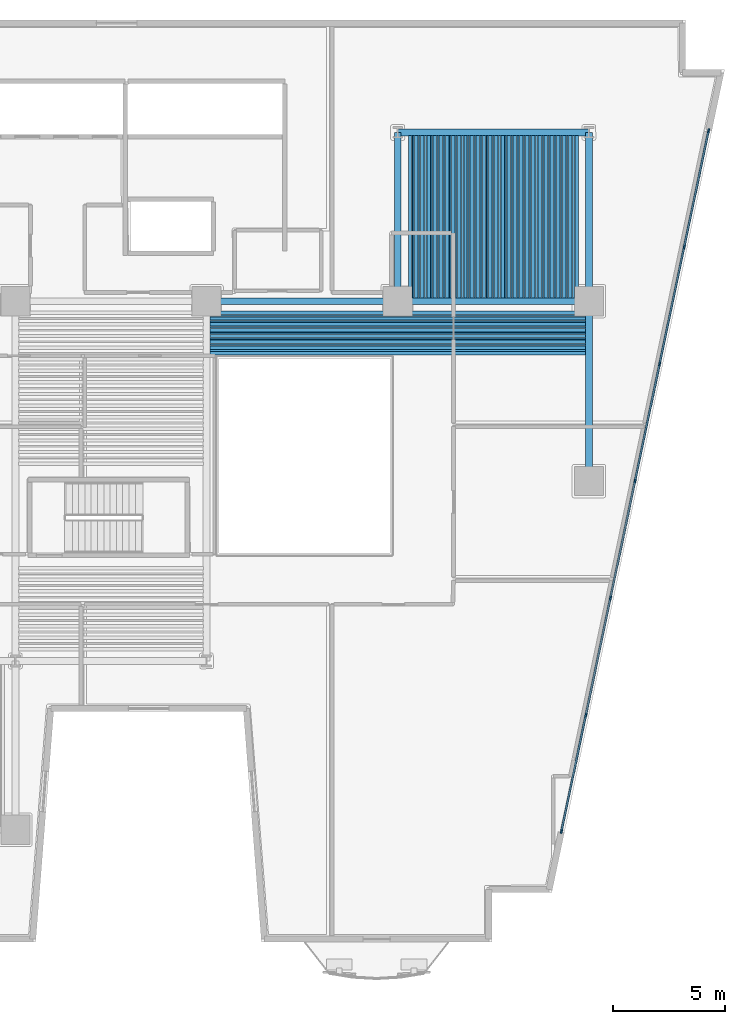
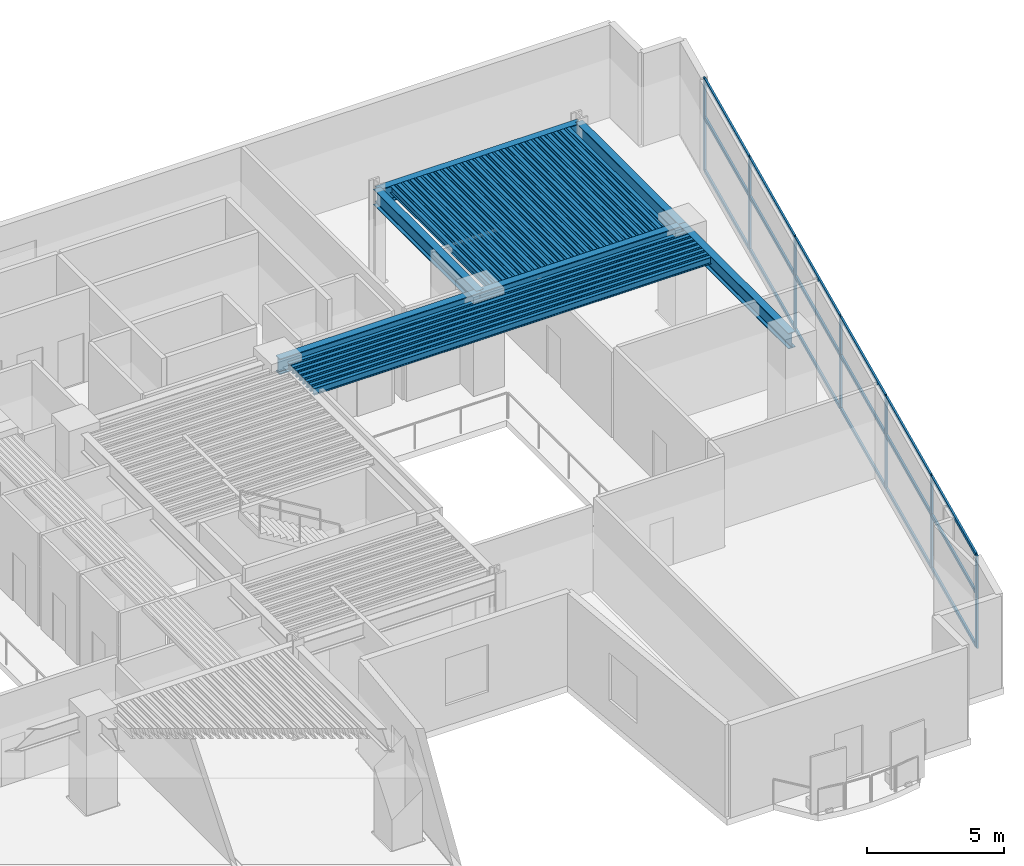
# One storey, part 2 of 12: 76 beams, 25 members, 1 element without a shape of its own.
"""IFC4 building model written with IfcOpenShell, lengths in metres."""

from ifc_helpers import new_model, si_unit, direction, frame, origin, origin_2d, place, context, subcontext, project, spatial, rectangle, hollow_rectangle, i_section, extrude, material, layer, layer_set, material_profile, profile_set, type_object, element, aggregate, save


model = new_model("IFC4")

# Units and contexts
model_context = context("Model", 3, precision=1e-05, world=origin(), true_north=direction((0.0, 1.0)))
body_context = subcontext(model_context, "Body", "Model", "MODEL_VIEW")
ifc_project = project(units=[si_unit("LENGTHUNIT", "METRE"), si_unit("AREAUNIT", "SQUARE_METRE"), si_unit("VOLUMEUNIT", "CUBIC_METRE"), si_unit("PLANEANGLEUNIT", "RADIAN"), si_unit("MASSUNIT", "GRAM", prefix="KILO")], contexts=[model_context])

# Site, building, storey
site_placement = place(None, origin())
site = spatial("IfcSite", under=ifc_project, at=site_placement, CompositionType="ELEMENT")
building_placement = place(site_placement, origin())
building = spatial("IfcBuilding", under=site, at=building_placement, Name="Caeloran Harvest Quay", CompositionType="ELEMENT")
storey_placement = place(building_placement, frame((0.0, 0.0, 88.60009765625)))
storey = spatial("IfcBuildingStorey", under=building, at=storey_placement, Name="L20", CompositionType="ELEMENT", Elevation=88.60009765625)

# Beams
ifc_material_1 = material(Name="Steel S355J2", Category="steel")
ifc_material_profile_1 = material_profile(ifc_material_1, i_section(OverallWidth=0.300048828125, OverallDepth=0.699951171875, WebThickness=0.01708984375, FlangeThickness=0.031982421875, FilletRadius=0.027099609375, at=origin_2d()), Name="HE 700 B")
ifc_profile_set_1 = profile_set([ifc_material_profile_1], Name="Steel S355J2")
beam_type_1 = type_object("IfcBeamType", Name="BM-PG-2-HE_700_B", PredefinedType="BEAM", material=ifc_profile_set_1)
for number, where, z_axis, x_axis, name in (
    (1, (34.0, 31.0, 3.764892578125), (1.0, 0.0, 0.0), (0.0, 1.0, 0.0), "L20 Primary East-West Girder Y=31.0"),
    (2, (42.5, 31.0, 3.764892578125), (1.0, 0.0, 0.0), (0.0, 1.0, 0.0), "L20 Primary East-West Girder Y=31.0"),
    (3, (42.5, 38.5, 3.764892578125), (1.0, 0.0, 0.0), (0.0, 1.0, 0.0), "L20 Primary East-West Girder Y=38.5"),
):
    element("IfcBeam", number, at=place(storey_placement, frame(where, z_axis=z_axis, x_axis=x_axis)), inside=storey, type_object=beam_type_1, Name=name, PredefinedType="BEAM", context=body_context, shape_type="SweptSolid", body=[
        extrude(i_section(OverallWidth=0.300048828125, OverallDepth=0.699951171875, WebThickness=0.01708984375, FlangeThickness=0.031982421875, FilletRadius=0.027099609375, at=origin_2d()), origin(), (0.0, 0.0, 1.0), 8.5),
    ])
beam_1_placement = place(storey_placement, frame((42.5, 31.0, 3.764892578125), z_axis=(0.0, 1.0, 0.0), x_axis=(-1.0, 0.0, 0.0)))
element("IfcBeam", 4, at=beam_1_placement, inside=storey, type_object=beam_type_1, Name="L20 Primary North-South Girder X=42.5", PredefinedType="BEAM", context=body_context, shape_type="SweptSolid", body=[
    extrude(i_section(OverallWidth=0.300048828125, OverallDepth=0.699951171875, WebThickness=0.01708984375, FlangeThickness=0.031982421875, FilletRadius=0.027099609375, at=origin_2d()), origin(), (0.0, 0.0, 1.0), 7.5),
])
beam_2_placement = place(storey_placement, frame((51.0, 23.0, 3.764892578125), z_axis=(0.0, 1.0, 0.0), x_axis=(-1.0, 0.0, 0.0)))
element("IfcBeam", 5, at=beam_2_placement, inside=storey, type_object=beam_type_1, Name="L20 Primary North-South Girder X=51.0", PredefinedType="BEAM", context=body_context, shape_type="SweptSolid", body=[
    extrude(i_section(OverallWidth=0.300048828125, OverallDepth=0.699951171875, WebThickness=0.01708984375, FlangeThickness=0.031982421875, FilletRadius=0.027099609375, at=origin_2d()), origin(), (0.0, 0.0, 1.0), 8.0),
])
beam_3_placement = place(storey_placement, frame((51.0, 31.0, 3.764892578125), z_axis=(0.0, 1.0, 0.0), x_axis=(-1.0, 0.0, 0.0)))
element("IfcBeam", 6, at=beam_3_placement, inside=storey, type_object=beam_type_1, Name="L20 Primary North-South Girder X=51.0", PredefinedType="BEAM", context=body_context, shape_type="SweptSolid", body=[
    extrude(i_section(OverallWidth=0.300048828125, OverallDepth=0.699951171875, WebThickness=0.01708984375, FlangeThickness=0.031982421875, FilletRadius=0.027099609375, at=origin_2d()), origin(), (0.0, 0.0, 1.0), 7.5),
])
ifc_material_profile_2 = material_profile(ifc_material_1, i_section(OverallWidth=0.14990234375, OverallDepth=0.300048828125, WebThickness=0.007080078125, FlangeThickness=0.0107421875, FilletRadius=0.014892578125, at=origin_2d()), Name="IPE 300")
ifc_profile_set_2 = profile_set([ifc_material_profile_2], Name="Steel S355J2")
beam_type_2 = type_object("IfcBeamType", Name="BM-SB-6-IPE_300", PredefinedType="JOIST", material=ifc_profile_set_2)
for number, where, z_axis, x_axis, name in (
    (7, (43.04833984375, 31.14501953125, 3.96484375), (0.0, 1.0, 0.0), (-1.0, 0.0, 0.0), "L20 Secondary Composite Joist"),
    (8, (43.322509765625, 31.14501953125, 3.96484375), (0.0, 1.0, 0.0), (-1.0, 0.0, 0.0), "L20 Secondary Composite Joist"),
    (9, (43.5966796875, 31.14501953125, 3.96484375), (0.0, 1.0, 0.0), (-1.0, 0.0, 0.0), "L20 Secondary Composite Joist"),
    (10, (43.87109375, 31.14501953125, 3.96484375), (0.0, 1.0, 0.0), (-1.0, 0.0, 0.0), "L20 Secondary Composite Joist"),
    (11, (44.145263671875, 31.14501953125, 3.96484375), (0.0, 1.0, 0.0), (-1.0, 0.0, 0.0), "L20 Secondary Composite Joist"),
    (12, (44.41943359375, 31.14501953125, 3.96484375), (0.0, 1.0, 0.0), (-1.0, 0.0, 0.0), "L20 Secondary Composite Joist"),
    (13, (44.693603515625, 31.14501953125, 3.96484375), (0.0, 1.0, 0.0), (-1.0, 0.0, 0.0), "L20 Secondary Composite Joist"),
    (14, (44.9677734375, 31.14501953125, 3.96484375), (0.0, 1.0, 0.0), (-1.0, 0.0, 0.0), "L20 Secondary Composite Joist"),
    (15, (45.241943359375, 31.14501953125, 3.96484375), (0.0, 1.0, 0.0), (-1.0, 0.0, 0.0), "L20 Secondary Composite Joist"),
    (16, (45.51611328125, 31.14501953125, 3.96484375), (0.0, 1.0, 0.0), (-1.0, 0.0, 0.0), "L20 Secondary Composite Joist"),
    (17, (45.790283203125, 31.14501953125, 3.96484375), (0.0, 1.0, 0.0), (-1.0, 0.0, 0.0), "L20 Secondary Composite Joist"),
    (18, (46.064453125, 31.14501953125, 3.96484375), (0.0, 1.0, 0.0), (-1.0, 0.0, 0.0), "L20 Secondary Composite Joist"),
    (19, (46.338623046875, 31.14501953125, 3.96484375), (0.0, 1.0, 0.0), (-1.0, 0.0, 0.0), "L20 Secondary Composite Joist"),
    (20, (46.61279296875, 31.14501953125, 3.96484375), (0.0, 1.0, 0.0), (-1.0, 0.0, 0.0), "L20 Secondary Composite Joist"),
    (21, (46.88720703125, 31.14501953125, 3.96484375), (0.0, 1.0, 0.0), (-1.0, 0.0, 0.0), "L20 Secondary Composite Joist"),
    (22, (47.161376953125, 31.14501953125, 3.96484375), (0.0, 1.0, 0.0), (-1.0, 0.0, 0.0), "L20 Secondary Composite Joist"),
    (23, (47.435546875, 31.14501953125, 3.96484375), (0.0, 1.0, 0.0), (-1.0, 0.0, 0.0), "L20 Secondary Composite Joist"),
    (24, (47.709716796875, 31.14501953125, 3.96484375), (0.0, 1.0, 0.0), (-1.0, 0.0, 0.0), "L20 Secondary Composite Joist"),
    (25, (47.98388671875, 31.14501953125, 3.96484375), (0.0, 1.0, 0.0), (-1.0, 0.0, 0.0), "L20 Secondary Composite Joist"),
    (26, (48.258056640625, 31.14501953125, 3.96484375), (0.0, 1.0, 0.0), (-1.0, 0.0, 0.0), "L20 Secondary Composite Joist"),
    (27, (48.5322265625, 31.14501953125, 3.96484375), (0.0, 1.0, 0.0), (-1.0, 0.0, 0.0), "L20 Secondary Composite Joist"),
    (28, (48.806396484375, 31.14501953125, 3.96484375), (0.0, 1.0, 0.0), (-1.0, 0.0, 0.0), "L20 Secondary Composite Joist"),
    (29, (49.08056640625, 31.14501953125, 3.96484375), (0.0, 1.0, 0.0), (-1.0, 0.0, 0.0), "L20 Secondary Composite Joist"),
    (30, (49.354736328125, 31.14501953125, 3.96484375), (0.0, 1.0, 0.0), (-1.0, 0.0, 0.0), "L20 Secondary Composite Joist"),
    (31, (49.62890625, 31.14501953125, 3.96484375), (0.0, 1.0, 0.0), (-1.0, 0.0, 0.0), "L20 Secondary Composite Joist"),
    (32, (49.9033203125, 31.14501953125, 3.96484375), (0.0, 1.0, 0.0), (-1.0, 0.0, 0.0), "L20 Secondary Composite Joist"),
    (33, (50.177490234375, 31.14501953125, 3.96484375), (0.0, 1.0, 0.0), (-1.0, 0.0, 0.0), "L20 Secondary Composite Joist"),
    (34, (50.45166015625, 31.14501953125, 3.96484375), (0.0, 1.0, 0.0), (-1.0, 0.0, 0.0), "L20 Secondary Composite Joist"),
):
    element("IfcBeam", number, at=place(storey_placement, frame(where, z_axis=z_axis, x_axis=x_axis)), inside=storey, type_object=beam_type_2, Name=name, PredefinedType="JOIST", context=body_context, shape_type="SweptSolid", body=[
        extrude(i_section(OverallWidth=0.14990234375, OverallDepth=0.300048828125, WebThickness=0.007080078125, FlangeThickness=0.0107421875, FilletRadius=0.014892578125, at=origin_2d()), origin(), (0.0, 0.0, 1.0), 7.2099609375),
    ])
for number, where, z_axis, x_axis, name in (
    (35, (34.14501953125, 28.677490234375, 3.96484375), (1.0, 0.0, 0.0), (0.0, 1.0, 0.0), "L20 Secondary East-West Composite Joist"),
    (36, (34.14501953125, 28.935546875, 3.96484375), (1.0, 0.0, 0.0), (0.0, 1.0, 0.0), "L20 Secondary East-West Composite Joist"),
    (37, (34.14501953125, 29.193603515625, 3.96484375), (1.0, 0.0, 0.0), (0.0, 1.0, 0.0), "L20 Secondary East-West Composite Joist"),
    (38, (34.14501953125, 29.45166015625, 3.96484375), (1.0, 0.0, 0.0), (0.0, 1.0, 0.0), "L20 Secondary East-West Composite Joist"),
    (39, (34.14501953125, 29.709716796875, 3.96484375), (1.0, 0.0, 0.0), (0.0, 1.0, 0.0), "L20 Secondary East-West Composite Joist"),
    (40, (34.14501953125, 29.9677734375, 3.96484375), (1.0, 0.0, 0.0), (0.0, 1.0, 0.0), "L20 Secondary East-West Composite Joist"),
    (41, (34.14501953125, 30.225830078125, 3.96484375), (1.0, 0.0, 0.0), (0.0, 1.0, 0.0), "L20 Secondary East-West Composite Joist"),
    (42, (34.14501953125, 30.48388671875, 3.96484375), (1.0, 0.0, 0.0), (0.0, 1.0, 0.0), "L20 Secondary East-West Composite Joist"),
):
    element("IfcBeam", number, at=place(storey_placement, frame(where, z_axis=z_axis, x_axis=x_axis)), inside=storey, type_object=beam_type_2, Name=name, PredefinedType="JOIST", context=body_context, shape_type="SweptSolid", body=[
        extrude(i_section(OverallWidth=0.14990234375, OverallDepth=0.300048828125, WebThickness=0.007080078125, FlangeThickness=0.0107421875, FilletRadius=0.014892578125, at=origin_2d()), origin(), (0.0, 0.0, 1.0), 16.7099609375),
    ])
ifc_material_profile_3 = material_profile(ifc_material_1, hollow_rectangle(XDim=0.080078125, YDim=0.199951171875, WallThickness=0.006103515625, InnerFilletRadius=0.006103515625, OuterFilletRadius=0.009033203125, at=origin_2d()), Name="RHS 200x80x6")
ifc_profile_set_3 = profile_set([ifc_material_profile_3], Name="Steel S355J2")
beam_type_3 = type_object("IfcBeamType", Name="BM-SB-7-RHS_200x80x6", PredefinedType="JOIST", material=ifc_profile_set_3)
for number, where, z_axis, x_axis, name in (
    (43, (43.185546875, 31.14501953125, 4.014892578125), (0.0, 1.0, 0.0), (-1.0, 0.0, 0.0), "L20 Secondary Composite Joist"),
    (44, (43.459716796875, 31.14501953125, 4.014892578125), (0.0, 1.0, 0.0), (-1.0, 0.0, 0.0), "L20 Secondary Composite Joist"),
    (45, (43.73388671875, 31.14501953125, 4.014892578125), (0.0, 1.0, 0.0), (-1.0, 0.0, 0.0), "L20 Secondary Composite Joist"),
    (46, (44.008056640625, 31.14501953125, 4.014892578125), (0.0, 1.0, 0.0), (-1.0, 0.0, 0.0), "L20 Secondary Composite Joist"),
    (47, (44.2822265625, 31.14501953125, 4.014892578125), (0.0, 1.0, 0.0), (-1.0, 0.0, 0.0), "L20 Secondary Composite Joist"),
    (48, (44.556396484375, 31.14501953125, 4.014892578125), (0.0, 1.0, 0.0), (-1.0, 0.0, 0.0), "L20 Secondary Composite Joist"),
    (49, (44.83056640625, 31.14501953125, 4.014892578125), (0.0, 1.0, 0.0), (-1.0, 0.0, 0.0), "L20 Secondary Composite Joist"),
    (50, (45.104736328125, 31.14501953125, 4.014892578125), (0.0, 1.0, 0.0), (-1.0, 0.0, 0.0), "L20 Secondary Composite Joist"),
    (51, (45.37890625, 31.14501953125, 4.014892578125), (0.0, 1.0, 0.0), (-1.0, 0.0, 0.0), "L20 Secondary Composite Joist"),
    (52, (45.6533203125, 31.14501953125, 4.014892578125), (0.0, 1.0, 0.0), (-1.0, 0.0, 0.0), "L20 Secondary Composite Joist"),
    (53, (45.927490234375, 31.14501953125, 4.014892578125), (0.0, 1.0, 0.0), (-1.0, 0.0, 0.0), "L20 Secondary Composite Joist"),
    (54, (46.20166015625, 31.14501953125, 4.014892578125), (0.0, 1.0, 0.0), (-1.0, 0.0, 0.0), "L20 Secondary Composite Joist"),
    (55, (46.475830078125, 31.14501953125, 4.014892578125), (0.0, 1.0, 0.0), (-1.0, 0.0, 0.0), "L20 Secondary Composite Joist"),
    (56, (46.75, 31.14501953125, 4.014892578125), (0.0, 1.0, 0.0), (-1.0, 0.0, 0.0), "L20 Secondary Composite Joist"),
    (57, (47.024169921875, 31.14501953125, 4.014892578125), (0.0, 1.0, 0.0), (-1.0, 0.0, 0.0), "L20 Secondary Composite Joist"),
    (58, (47.29833984375, 31.14501953125, 4.014892578125), (0.0, 1.0, 0.0), (-1.0, 0.0, 0.0), "L20 Secondary Composite Joist"),
    (59, (47.572509765625, 31.14501953125, 4.014892578125), (0.0, 1.0, 0.0), (-1.0, 0.0, 0.0), "L20 Secondary Composite Joist"),
    (60, (47.8466796875, 31.14501953125, 4.014892578125), (0.0, 1.0, 0.0), (-1.0, 0.0, 0.0), "L20 Secondary Composite Joist"),
    (61, (48.12109375, 31.14501953125, 4.014892578125), (0.0, 1.0, 0.0), (-1.0, 0.0, 0.0), "L20 Secondary Composite Joist"),
    (62, (48.395263671875, 31.14501953125, 4.014892578125), (0.0, 1.0, 0.0), (-1.0, 0.0, 0.0), "L20 Secondary Composite Joist"),
    (63, (48.66943359375, 31.14501953125, 4.014892578125), (0.0, 1.0, 0.0), (-1.0, 0.0, 0.0), "L20 Secondary Composite Joist"),
    (64, (48.943603515625, 31.14501953125, 4.014892578125), (0.0, 1.0, 0.0), (-1.0, 0.0, 0.0), "L20 Secondary Composite Joist"),
    (65, (49.2177734375, 31.14501953125, 4.014892578125), (0.0, 1.0, 0.0), (-1.0, 0.0, 0.0), "L20 Secondary Composite Joist"),
    (66, (49.491943359375, 31.14501953125, 4.014892578125), (0.0, 1.0, 0.0), (-1.0, 0.0, 0.0), "L20 Secondary Composite Joist"),
    (67, (49.76611328125, 31.14501953125, 4.014892578125), (0.0, 1.0, 0.0), (-1.0, 0.0, 0.0), "L20 Secondary Composite Joist"),
    (68, (50.040283203125, 31.14501953125, 4.014892578125), (0.0, 1.0, 0.0), (-1.0, 0.0, 0.0), "L20 Secondary Composite Joist"),
    (69, (50.314453125, 31.14501953125, 4.014892578125), (0.0, 1.0, 0.0), (-1.0, 0.0, 0.0), "L20 Secondary Composite Joist"),
):
    element("IfcBeam", number, at=place(storey_placement, frame(where, z_axis=z_axis, x_axis=x_axis)), inside=storey, type_object=beam_type_3, Name=name, PredefinedType="JOIST", context=body_context, shape_type="SweptSolid", body=[
        extrude(hollow_rectangle(XDim=0.080078125, YDim=0.199951171875, WallThickness=0.006103515625, InnerFilletRadius=0.006103515625, OuterFilletRadius=0.009033203125, at=origin_2d()), origin(), (0.0, 0.0, 1.0), 7.2099609375),
    ])
for number, where, z_axis, x_axis, name in (
    (70, (34.14501953125, 28.806396484375, 4.014892578125), (1.0, 0.0, 0.0), (0.0, 1.0, 0.0), "L20 Secondary East-West Composite Joist"),
    (71, (34.14501953125, 29.064453125, 4.014892578125), (1.0, 0.0, 0.0), (0.0, 1.0, 0.0), "L20 Secondary East-West Composite Joist"),
    (72, (34.14501953125, 29.322509765625, 4.014892578125), (1.0, 0.0, 0.0), (0.0, 1.0, 0.0), "L20 Secondary East-West Composite Joist"),
    (73, (34.14501953125, 29.58056640625, 4.014892578125), (1.0, 0.0, 0.0), (0.0, 1.0, 0.0), "L20 Secondary East-West Composite Joist"),
    (74, (34.14501953125, 29.838623046875, 4.014892578125), (1.0, 0.0, 0.0), (0.0, 1.0, 0.0), "L20 Secondary East-West Composite Joist"),
    (75, (34.14501953125, 30.0966796875, 4.014892578125), (1.0, 0.0, 0.0), (0.0, 1.0, 0.0), "L20 Secondary East-West Composite Joist"),
    (76, (34.14501953125, 30.354736328125, 4.014892578125), (1.0, 0.0, 0.0), (0.0, 1.0, 0.0), "L20 Secondary East-West Composite Joist"),
):
    element("IfcBeam", number, at=place(storey_placement, frame(where, z_axis=z_axis, x_axis=x_axis)), inside=storey, type_object=beam_type_3, Name=name, PredefinedType="JOIST", context=body_context, shape_type="SweptSolid", body=[
        extrude(hollow_rectangle(XDim=0.080078125, YDim=0.199951171875, WallThickness=0.006103515625, InnerFilletRadius=0.006103515625, OuterFilletRadius=0.009033203125, at=origin_2d()), origin(), (0.0, 0.0, 1.0), 16.7099609375),
    ])

# Curtain wall, members
ifc_material_2 = material(Name="Aluminium 6063-T6 and Low-E Glazing", Category="aluminium")
ifc_layer = layer(ifc_material_2, 0.199951171875, Name="Aluminium 6063-T6 and Low-E Glazing")
ifc_layer_set = layer_set([ifc_layer], Name="Aluminium 6063-T6 and Low-E Glazing")
curtain_wall_type = type_object("IfcCurtainWallType", Name="CW-SYS-CW-2", PredefinedType="USERDEFINED", material=ifc_layer_set)
curtain_wall_placement = place(storey_placement, origin())
curtain_wall = element("IfcCurtainWall", 77, at=curtain_wall_placement, inside=storey, type_object=curtain_wall_type, Name="L20 Unitised Curtain Wall CW-2 Run 9", ObjectType="CURTAIN_WALL", PredefinedType="USERDEFINED")
ifc_material_3 = material(Name="Aluminium 6063-T6", Category="aluminium")
ifc_material_profile_4 = material_profile(ifc_material_3, rectangle(XDim=0.080078125, YDim=0.179931640625, at=origin_2d()), Name="CW-MULLION-180")
ifc_profile_set_4 = profile_set([ifc_material_profile_4], Name="Aluminium 6063-T6")
member_type_1 = type_object("IfcMemberType", Name="CW-MULLION-180", PredefinedType="MULLION", material=ifc_profile_set_4)
member_1_placement = place(storey_placement, frame((56.322509765625, 38.576416015625, 0.0), z_axis=(0.0, 0.0, 1.0), x_axis=(0.978639691881, -0.205582960081, 0.0)))
member_1 = element("IfcMember", 78, at=member_1_placement, type_object=member_type_1, Name="CW-2 mullion 1", PredefinedType="MULLION", context=body_context, shape_type="SweptSolid", body=[
    extrude(rectangle(XDim=0.080078125, YDim=0.179931640625, at=origin_2d()), origin(), (0.0, 0.0, 1.0), 4.114990234375),
])
member_2_placement = place(storey_placement, frame((55.2373046875, 33.410400390625, 0.0), z_axis=(0.0, 0.0, 1.0), x_axis=(0.978639691881, -0.205582960081, 0.0)))
member_2 = element("IfcMember", 79, at=member_2_placement, type_object=member_type_1, Name="CW-2 mullion 2", PredefinedType="MULLION", context=body_context, shape_type="SweptSolid", body=[
    extrude(rectangle(XDim=0.080078125, YDim=0.179931640625, at=origin_2d()), origin(), (0.0, 0.0, 1.0), 4.114990234375),
])
member_3_placement = place(storey_placement, frame((54.143798828125, 28.205078125, 0.0), z_axis=(0.0, 0.0, 1.0), x_axis=(0.978639691881, -0.205582960081, 0.0)))
member_3 = element("IfcMember", 80, at=member_3_placement, type_object=member_type_1, Name="CW-2 mullion 3", PredefinedType="MULLION", context=body_context, shape_type="SweptSolid", body=[
    extrude(rectangle(XDim=0.080078125, YDim=0.179931640625, at=origin_2d()), origin(), (0.0, 0.0, 1.0), 4.114990234375),
])
member_4_placement = place(storey_placement, frame((53.050537109375, 23.0, 0.0), z_axis=(0.0, 0.0, 1.0), x_axis=(0.978639691881, -0.205582960081, 0.0)))
member_4 = element("IfcMember", 81, at=member_4_placement, type_object=member_type_1, Name="CW-2 mullion 4", PredefinedType="MULLION", context=body_context, shape_type="SweptSolid", body=[
    extrude(rectangle(XDim=0.080078125, YDim=0.179931640625, at=origin_2d()), origin(), (0.0, 0.0, 1.0), 4.114990234375),
])
member_5_placement = place(storey_placement, frame((51.95703125, 17.794921875, 0.0), z_axis=(0.0, 0.0, 1.0), x_axis=(0.978639691881, -0.205582960081, 0.0)))
member_5 = element("IfcMember", 82, at=member_5_placement, type_object=member_type_1, Name="CW-2 mullion 5", PredefinedType="MULLION", context=body_context, shape_type="SweptSolid", body=[
    extrude(rectangle(XDim=0.080078125, YDim=0.179931640625, at=origin_2d()), origin(), (0.0, 0.0, 1.0), 4.114990234375),
])
member_6_placement = place(storey_placement, frame((50.863525390625, 12.589599609375, 0.0), z_axis=(0.0, 0.0, 1.0), x_axis=(0.978639691881, -0.205582960081, 0.0)))
member_6 = element("IfcMember", 83, at=member_6_placement, type_object=member_type_1, Name="CW-2 mullion 6", PredefinedType="MULLION", context=body_context, shape_type="SweptSolid", body=[
    extrude(rectangle(XDim=0.080078125, YDim=0.179931640625, at=origin_2d()), origin(), (0.0, 0.0, 1.0), 4.114990234375),
])
member_7_placement = place(storey_placement, frame((49.7783203125, 7.423583984375, 0.0), z_axis=(0.0, 0.0, 1.0), x_axis=(0.978639691881, -0.205582960081, 0.0)))
member_7 = element("IfcMember", 84, at=member_7_placement, type_object=member_type_1, Name="CW-2 mullion 7", PredefinedType="MULLION", context=body_context, shape_type="SweptSolid", body=[
    extrude(rectangle(XDim=0.080078125, YDim=0.179931640625, at=origin_2d()), origin(), (0.0, 0.0, 1.0), 4.114990234375),
])
ifc_material_profile_5 = material_profile(ifc_material_3, rectangle(XDim=0.080078125, YDim=0.14990234375, at=origin_2d()), Name="CW-TRANSOM-150")
ifc_profile_set_5 = profile_set([ifc_material_profile_5], Name="Aluminium 6063-T6")
member_type_2 = type_object("IfcMemberType", Name="CW-TRANSOM-150", PredefinedType="USERDEFINED", material=ifc_profile_set_5)
member_8_placement = place(storey_placement, frame((56.314453125, 38.537109375, 0.039794921875), z_axis=(-0.205598644178, -0.978636396989, 0.0), x_axis=(0.978636396989, -0.205598644178, 0.0)))
member_8 = element("IfcMember", 85, at=member_8_placement, type_object=member_type_2, Name="CW-2 transom 1.1", ObjectType="TRANSOM", PredefinedType="USERDEFINED", context=body_context, shape_type="SweptSolid", body=[
    extrude(rectangle(XDim=0.080078125, YDim=0.14990234375, at=origin_2d()), origin(), (0.0, 0.0, 1.0), 5.19873046875),
])
member_9_placement = place(storey_placement, frame((56.314453125, 38.537109375, 2.39990234375), z_axis=(-0.205598644178, -0.978636396989, 0.0), x_axis=(0.978636396989, -0.205598644178, 0.0)))
member_9 = element("IfcMember", 86, at=member_9_placement, type_object=member_type_2, Name="CW-2 transom 1.2", ObjectType="TRANSOM", PredefinedType="USERDEFINED", context=body_context, shape_type="SweptSolid", body=[
    extrude(rectangle(XDim=0.080078125, YDim=0.14990234375, at=origin_2d()), origin(), (0.0, 0.0, 1.0), 5.19873046875),
])
member_10_placement = place(storey_placement, frame((56.314453125, 38.537109375, 4.074951171875), z_axis=(-0.205598644178, -0.978636396989, 0.0), x_axis=(0.978636396989, -0.205598644178, 0.0)))
member_10 = element("IfcMember", 87, at=member_10_placement, type_object=member_type_2, Name="CW-2 transom 1.3", ObjectType="TRANSOM", PredefinedType="USERDEFINED", context=body_context, shape_type="SweptSolid", body=[
    extrude(rectangle(XDim=0.080078125, YDim=0.14990234375, at=origin_2d()), origin(), (0.0, 0.0, 1.0), 5.19873046875),
])
member_11_placement = place(storey_placement, frame((55.229248046875, 33.37109375, 0.039794921875), z_axis=(-0.205615877389, -0.97863277636, 0.0), x_axis=(0.97863277636, -0.205615877389, 0.0)))
member_11 = element("IfcMember", 88, at=member_11_placement, type_object=member_type_2, Name="CW-2 transom 2.1", ObjectType="TRANSOM", PredefinedType="USERDEFINED", context=body_context, shape_type="SweptSolid", body=[
    extrude(rectangle(XDim=0.080078125, YDim=0.14990234375, at=origin_2d()), origin(), (0.0, 0.0, 1.0), 5.238525390625),
])
member_12_placement = place(storey_placement, frame((55.229248046875, 33.37109375, 2.39990234375), z_axis=(-0.205615877389, -0.97863277636, 0.0), x_axis=(0.97863277636, -0.205615877389, 0.0)))
member_12 = element("IfcMember", 89, at=member_12_placement, type_object=member_type_2, Name="CW-2 transom 2.2", ObjectType="TRANSOM", PredefinedType="USERDEFINED", context=body_context, shape_type="SweptSolid", body=[
    extrude(rectangle(XDim=0.080078125, YDim=0.14990234375, at=origin_2d()), origin(), (0.0, 0.0, 1.0), 5.238525390625),
])
member_13_placement = place(storey_placement, frame((55.229248046875, 33.37109375, 4.074951171875), z_axis=(-0.205615877389, -0.97863277636, 0.0), x_axis=(0.97863277636, -0.205615877389, 0.0)))
member_13 = element("IfcMember", 90, at=member_13_placement, type_object=member_type_2, Name="CW-2 transom 2.3", ObjectType="TRANSOM", PredefinedType="USERDEFINED", context=body_context, shape_type="SweptSolid", body=[
    extrude(rectangle(XDim=0.080078125, YDim=0.14990234375, at=origin_2d()), origin(), (0.0, 0.0, 1.0), 5.238525390625),
])
member_14_placement = place(storey_placement, frame((54.1357421875, 28.166015625, 0.039794921875), z_axis=(-0.205606500081, -0.978634746534, 0.0), x_axis=(0.978634746534, -0.205606500081, 0.0)))
member_14 = element("IfcMember", 91, at=member_14_placement, type_object=member_type_2, Name="CW-2 transom 3.1", ObjectType="TRANSOM", PredefinedType="USERDEFINED", context=body_context, shape_type="SweptSolid", body=[
    extrude(rectangle(XDim=0.080078125, YDim=0.14990234375, at=origin_2d()), origin(), (0.0, 0.0, 1.0), 5.23876953125),
])
member_15_placement = place(storey_placement, frame((54.1357421875, 28.166015625, 2.39990234375), z_axis=(-0.205606500081, -0.978634746534, 0.0), x_axis=(0.978634746534, -0.205606500081, 0.0)))
member_15 = element("IfcMember", 92, at=member_15_placement, type_object=member_type_2, Name="CW-2 transom 3.2", ObjectType="TRANSOM", PredefinedType="USERDEFINED", context=body_context, shape_type="SweptSolid", body=[
    extrude(rectangle(XDim=0.080078125, YDim=0.14990234375, at=origin_2d()), origin(), (0.0, 0.0, 1.0), 5.23876953125),
])
member_16_placement = place(storey_placement, frame((54.1357421875, 28.166015625, 4.074951171875), z_axis=(-0.205606500081, -0.978634746534, 0.0), x_axis=(0.978634746534, -0.205606500081, 0.0)))
member_16 = element("IfcMember", 93, at=member_16_placement, type_object=member_type_2, Name="CW-2 transom 3.3", ObjectType="TRANSOM", PredefinedType="USERDEFINED", context=body_context, shape_type="SweptSolid", body=[
    extrude(rectangle(XDim=0.080078125, YDim=0.14990234375, at=origin_2d()), origin(), (0.0, 0.0, 1.0), 5.23876953125),
])
member_17_placement = place(storey_placement, frame((53.042236328125, 22.9609375, 0.039794921875), z_axis=(-0.205561867825, -0.978644122496, 0.0), x_axis=(0.978644122496, -0.205561867825, 0.0)))
member_17 = element("IfcMember", 94, at=member_17_placement, type_object=member_type_2, Name="CW-2 transom 4.1", ObjectType="TRANSOM", PredefinedType="USERDEFINED", context=body_context, shape_type="SweptSolid", body=[
    extrude(rectangle(XDim=0.080078125, YDim=0.14990234375, at=origin_2d()), origin(), (0.0, 0.0, 1.0), 5.23876953125),
])
member_18_placement = place(storey_placement, frame((53.042236328125, 22.9609375, 2.39990234375), z_axis=(-0.205561867825, -0.978644122496, 0.0), x_axis=(0.978644122496, -0.205561867825, 0.0)))
member_18 = element("IfcMember", 95, at=member_18_placement, type_object=member_type_2, Name="CW-2 transom 4.2", ObjectType="TRANSOM", PredefinedType="USERDEFINED", context=body_context, shape_type="SweptSolid", body=[
    extrude(rectangle(XDim=0.080078125, YDim=0.14990234375, at=origin_2d()), origin(), (0.0, 0.0, 1.0), 5.23876953125),
])
member_19_placement = place(storey_placement, frame((53.042236328125, 22.9609375, 4.074951171875), z_axis=(-0.205561867825, -0.978644122496, 0.0), x_axis=(0.978644122496, -0.205561867825, 0.0)))
member_19 = element("IfcMember", 96, at=member_19_placement, type_object=member_type_2, Name="CW-2 transom 4.3", ObjectType="TRANSOM", PredefinedType="USERDEFINED", context=body_context, shape_type="SweptSolid", body=[
    extrude(rectangle(XDim=0.080078125, YDim=0.14990234375, at=origin_2d()), origin(), (0.0, 0.0, 1.0), 5.23876953125),
])
member_20_placement = place(storey_placement, frame((51.94873046875, 17.755615234375, 0.039794921875), z_axis=(-0.205571243277, -0.978642153158, 0.0), x_axis=(0.978642153158, -0.205571243277, 0.0)))
member_20 = element("IfcMember", 97, at=member_20_placement, type_object=member_type_2, Name="CW-2 transom 5.1", ObjectType="TRANSOM", PredefinedType="USERDEFINED", context=body_context, shape_type="SweptSolid", body=[
    extrude(rectangle(XDim=0.080078125, YDim=0.14990234375, at=origin_2d()), origin(), (0.0, 0.0, 1.0), 5.238525390625),
])
member_21_placement = place(storey_placement, frame((51.94873046875, 17.755615234375, 2.39990234375), z_axis=(-0.205571243277, -0.978642153158, 0.0), x_axis=(0.978642153158, -0.205571243277, 0.0)))
member_21 = element("IfcMember", 98, at=member_21_placement, type_object=member_type_2, Name="CW-2 transom 5.2", ObjectType="TRANSOM", PredefinedType="USERDEFINED", context=body_context, shape_type="SweptSolid", body=[
    extrude(rectangle(XDim=0.080078125, YDim=0.14990234375, at=origin_2d()), origin(), (0.0, 0.0, 1.0), 5.238525390625),
])
member_22_placement = place(storey_placement, frame((51.94873046875, 17.755615234375, 4.074951171875), z_axis=(-0.205571243277, -0.978642153158, 0.0), x_axis=(0.978642153158, -0.205571243277, 0.0)))
member_22 = element("IfcMember", 99, at=member_22_placement, type_object=member_type_2, Name="CW-2 transom 5.3", ObjectType="TRANSOM", PredefinedType="USERDEFINED", context=body_context, shape_type="SweptSolid", body=[
    extrude(rectangle(XDim=0.080078125, YDim=0.14990234375, at=origin_2d()), origin(), (0.0, 0.0, 1.0), 5.238525390625),
])
member_23_placement = place(storey_placement, frame((50.855224609375, 12.550537109375, 0.039794921875), z_axis=(-0.205553666865, -0.978645845052, 0.0), x_axis=(0.978645845052, -0.205553666865, 0.0)))
member_23 = element("IfcMember", 100, at=member_23_placement, type_object=member_type_2, Name="CW-2 transom 6.1", ObjectType="TRANSOM", PredefinedType="USERDEFINED", context=body_context, shape_type="SweptSolid", body=[
    extrude(rectangle(XDim=0.080078125, YDim=0.14990234375, at=origin_2d()), origin(), (0.0, 0.0, 1.0), 5.19873046875),
])
member_24_placement = place(storey_placement, frame((50.855224609375, 12.550537109375, 2.39990234375), z_axis=(-0.205553666865, -0.978645845052, 0.0), x_axis=(0.978645845052, -0.205553666865, 0.0)))
member_24 = element("IfcMember", 101, at=member_24_placement, type_object=member_type_2, Name="CW-2 transom 6.2", ObjectType="TRANSOM", PredefinedType="USERDEFINED", context=body_context, shape_type="SweptSolid", body=[
    extrude(rectangle(XDim=0.080078125, YDim=0.14990234375, at=origin_2d()), origin(), (0.0, 0.0, 1.0), 5.19873046875),
])
member_25_placement = place(storey_placement, frame((50.855224609375, 12.550537109375, 4.074951171875), z_axis=(-0.205553666865, -0.978645845052, 0.0), x_axis=(0.978645845052, -0.205553666865, 0.0)))
member_25 = element("IfcMember", 102, at=member_25_placement, type_object=member_type_2, Name="CW-2 transom 6.3", ObjectType="TRANSOM", PredefinedType="USERDEFINED", context=body_context, shape_type="SweptSolid", body=[
    extrude(rectangle(XDim=0.080078125, YDim=0.14990234375, at=origin_2d()), origin(), (0.0, 0.0, 1.0), 5.19873046875),
])
aggregate(curtain_wall, [member_1, member_2, member_3, member_4, member_5, member_6, member_7, member_8, member_9, member_10, member_11, member_12, member_13, member_14, member_15, member_16, member_17, member_18, member_19, member_20, member_21, member_22, member_23, member_24, member_25])

save(model, "model.ifc")
